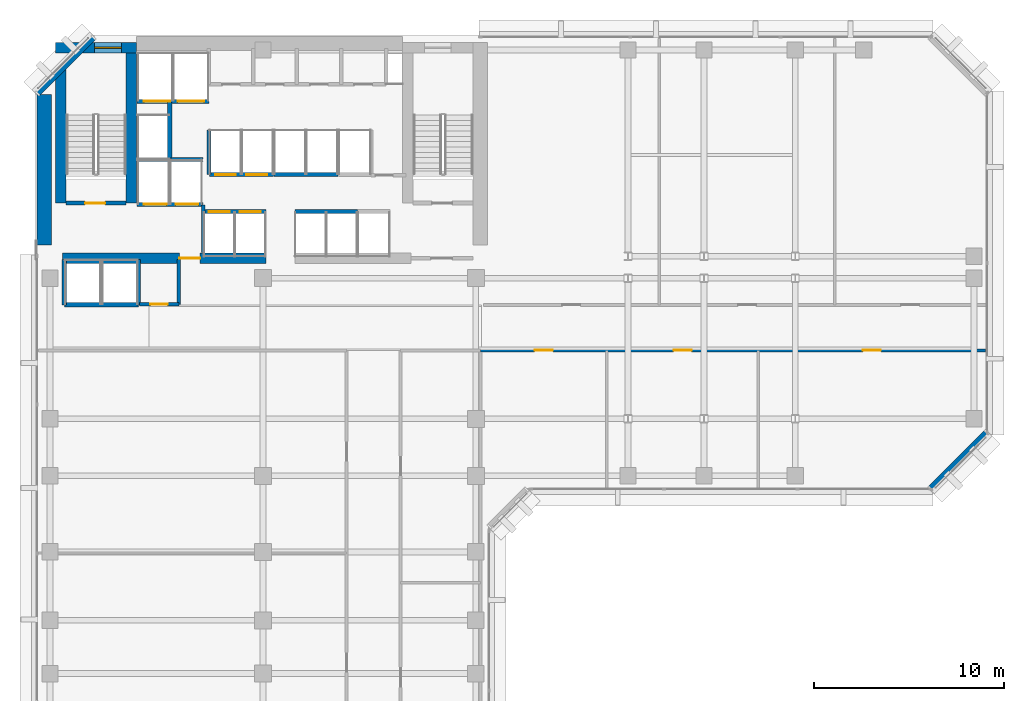
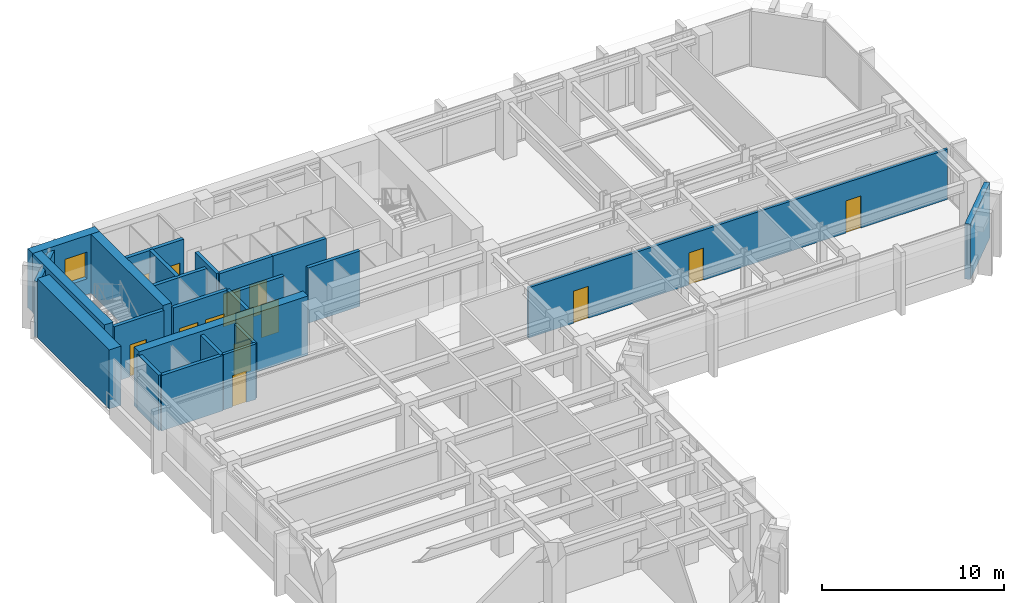
# One storey, part 7 of 12: 24 walls, 14 doors, 1 window, 15 openings.
"""IFC4 building model written with IfcOpenShell, lengths in metres."""

from ifc_helpers import new_model, si_unit, direction, frame, frame_2d, origin, place, context, subcontext, project, spatial, rectangle, extrude, material, layer, layer_set, type_object, element, fill, save


model = new_model("IFC4")

# Units and contexts
model_context = context("Model", 3, precision=1e-05, world=origin(), true_north=direction((0.0, 1.0)))
body_context = subcontext(model_context, "Body", "Model", "MODEL_VIEW")
ifc_project = project(units=[si_unit("LENGTHUNIT", "METRE"), si_unit("AREAUNIT", "SQUARE_METRE"), si_unit("VOLUMEUNIT", "CUBIC_METRE"), si_unit("PLANEANGLEUNIT", "RADIAN"), si_unit("MASSUNIT", "GRAM", prefix="KILO")], contexts=[model_context])

# Site, building, storey
site_placement = place(None, origin())
site = spatial("IfcSite", under=ifc_project, at=site_placement, CompositionType="ELEMENT")
building_placement = place(site_placement, origin())
building = spatial("IfcBuilding", under=site, at=building_placement, Name="Kefirva Bronze Tower", CompositionType="ELEMENT")
storey_placement = place(building_placement, frame((0.0, 0.0, 118.469970703125)))
storey = spatial("IfcBuildingStorey", under=building, at=storey_placement, Name="L28", CompositionType="ELEMENT", Elevation=118.469970703125)

# Wall, opening, door
ifc_material_1 = material(Name="Gypsum fireboard shaftwall")
ifc_layer_1 = layer(ifc_material_1, 0.219970703125, Name="Gypsum fireboard shaftwall")
ifc_layer_set_1 = layer_set([ifc_layer_1], Name="Gypsum fireboard shaftwall")
wall_type_1 = type_object("IfcWallType", Name="Fire-Rated Shaft Enclosure Wall 220mm", PredefinedType="PARTITIONING", material=ifc_layer_set_1)
wall_1_placement = place(storey_placement, frame((1.64990234375, 37.14990234375, 0.0), z_axis=(0.0, 0.0, 1.0), x_axis=(1.0, 0.0, 0.0)))
wall_1 = element("IfcWall", 1, at=wall_1_placement, inside=storey, type_object=wall_type_1, Name="L28 Partition W-L28-ST1S", PredefinedType="PARTITIONING", context=body_context, shape_type="SweptSolid", body=[
    extrude(rectangle(XDim=3.150146484375, YDim=0.219970703125, at=frame_2d((1.5751953125, 0.0))), origin(), (0.0, 0.0, 1.0), 3.7099609375),
])
opening_1_placement = place(wall_1_placement, frame((2.050048828125, 0.0, 0.0), z_axis=(0.0, 0.0, 1.0), x_axis=(-1.0, 0.0, 0.0)))
opening_1 = element("IfcOpeningElement", 2, at=opening_1_placement, cuts=wall_1, Name="Opening L28-D001", PredefinedType="OPENING", context=body_context, shape_type="SweptSolid", body=[
    extrude(rectangle(XDim=1.050048828125, YDim=2.14990234375, at=frame_2d((0.52490234375, 1.074951171875))), frame((0.0, 0.1201171875, 0.0), z_axis=(0.0, -1.0, 0.0), x_axis=(1.0, 0.0, 0.0)), (0.0, 0.0, 1.0), 0.239990234375),
])
ifc_material_2 = material(Name="Painted galvanized steel", Category="steel")
door_type_1 = type_object("IfcDoorType", Name="Fire Stair Enclosure Door 1050x2150 FD90S", OperationType="NOTDEFINED", PredefinedType="DOOR", material=ifc_material_2)
door_1_placement = place(opening_1_placement, origin())
door_1 = element("IfcDoor", 3, at=door_1_placement, inside=storey, type_object=door_type_1, Name="Door L28-D001", OperationType="SINGLE_SWING_RIGHT", OverallHeight=2.14990234375, OverallWidth=1.050048828125, PredefinedType="DOOR", context=body_context, shape_type="SweptSolid", body=[
    extrude(rectangle(XDim=1.050048828125, YDim=2.14990234375, at=frame_2d((0.52490234375, 1.074951171875))), frame((0.0, 0.02490234375, 0.0), z_axis=(0.0, -1.0, 0.0), x_axis=(1.0, 0.0, 0.0)), (0.0, 0.0, 1.0), 0.050048828125),
])
fill(opening_1, door_1)

# Wall, openings, doors
wall_2_placement = place(storey_placement, frame((5.3798828125, 37.080078125, 0.0), z_axis=(0.0, 0.0, 1.0), x_axis=(1.0, 0.0, 0.0)))
wall_2 = element("IfcWall", 4, at=wall_2_placement, inside=storey, type_object=wall_type_1, Name="L28 Partition W-L28-FFS", PredefinedType="PARTITIONING", context=body_context, shape_type="SweptSolid", body=[
    extrude(rectangle(XDim=3.460205078125, YDim=0.219970703125, at=frame_2d((1.72998046875, 0.0))), origin(), (0.0, 0.0, 1.0), 3.7099609375),
])
opening_2_placement = place(wall_2_placement, frame((1.550048828125, 0.0, 0.0), z_axis=(0.0, 0.0, 1.0), x_axis=(-1.0, 0.0, 0.0)))
opening_2 = element("IfcOpeningElement", 5, at=opening_2_placement, cuts=wall_2, Name="Opening L28-LD-FF1", PredefinedType="OPENING", context=body_context, shape_type="SweptSolid", body=[
    extrude(rectangle(XDim=1.199951171875, YDim=2.199951171875, at=frame_2d((0.60009765625, 1.10009765625))), frame((0.0, 0.1201171875, 0.0), z_axis=(0.0, -1.0, 0.0), x_axis=(1.0, 0.0, 0.0)), (0.0, 0.0, 1.0), 0.239990234375),
])
opening_3_placement = place(wall_2_placement, frame((3.219970703125, 0.0, 0.0), z_axis=(0.0, 0.0, 1.0), x_axis=(-1.0, 0.0, 0.0)))
opening_3 = element("IfcOpeningElement", 6, at=opening_3_placement, cuts=wall_2, Name="Opening L28-LD-FF2", PredefinedType="OPENING", context=body_context, shape_type="SweptSolid", body=[
    extrude(rectangle(XDim=1.199951171875, YDim=2.199951171875, at=frame_2d((0.60009765625, 1.10009765625))), frame((0.0, 0.1201171875, 0.0), z_axis=(0.0, -1.0, 0.0), x_axis=(1.0, 0.0, 0.0)), (0.0, 0.0, 1.0), 0.239990234375),
])
ifc_material_3 = material(Name="Stainless steel 316", Category="steel")
door_type_2 = type_object("IfcDoorType", Name="Firefighting Lift Sliding Door 1200x2200", OperationType="SLIDING_TO_RIGHT", PredefinedType="DOOR", material=ifc_material_3)
door_2_placement = place(opening_2_placement, origin())
door_2 = element("IfcDoor", 7, at=door_2_placement, inside=storey, type_object=door_type_2, Name="Door L28-LD-FF1", OperationType="SLIDING_TO_RIGHT", OverallHeight=2.199951171875, OverallWidth=1.199951171875, PredefinedType="DOOR", context=body_context, shape_type="SweptSolid", body=[
    extrude(rectangle(XDim=1.199951171875, YDim=2.199951171875, at=frame_2d((0.60009765625, 1.10009765625))), frame((0.0, 0.02490234375, 0.0), z_axis=(0.0, -1.0, 0.0), x_axis=(1.0, 0.0, 0.0)), (0.0, 0.0, 1.0), 0.050048828125),
])
fill(opening_2, door_2)
door_3_placement = place(opening_3_placement, origin())
door_3 = element("IfcDoor", 8, at=door_3_placement, inside=storey, type_object=door_type_2, Name="Door L28-LD-FF2", OperationType="SLIDING_TO_RIGHT", OverallHeight=2.199951171875, OverallWidth=1.199951171875, PredefinedType="DOOR", context=body_context, shape_type="SweptSolid", body=[
    extrude(rectangle(XDim=1.199951171875, YDim=2.199951171875, at=frame_2d((0.60009765625, 1.10009765625))), frame((0.0, 0.02490234375, 0.0), z_axis=(0.0, -1.0, 0.0), x_axis=(1.0, 0.0, 0.0)), (0.0, 0.0, 1.0), 0.050048828125),
])
fill(opening_3, door_3)

# Wall
wall_3_placement = place(storey_placement, frame((5.3798828125, 39.449951171875, 0.0), z_axis=(0.0, 0.0, 1.0), x_axis=(1.0, 0.0, 0.0)))
element("IfcWall", 9, at=wall_3_placement, inside=storey, type_object=wall_type_1, Name="L28 Partition W-L28-FFN", PredefinedType="PARTITIONING", context=body_context, shape_type="SweptSolid", body=[
    extrude(rectangle(XDim=3.460205078125, YDim=0.219970703125, at=frame_2d((1.72998046875, 0.0))), origin(), (0.0, 0.0, 1.0), 3.7099609375),
])

# Wall, openings, doors
wall_4_placement = place(storey_placement, frame((5.3798828125, 42.5, 0.0), z_axis=(0.0, 0.0, 1.0), x_axis=(1.0, 0.0, 0.0)))
wall_4 = element("IfcWall", 10, at=wall_4_placement, inside=storey, type_object=wall_type_1, Name="L28 Partition W-L28-SVS", PredefinedType="PARTITIONING", context=body_context, shape_type="SweptSolid", body=[
    extrude(rectangle(XDim=3.77001953125, YDim=0.219970703125, at=frame_2d((1.885009765625, 0.0))), origin(), (0.0, 0.0, 1.0), 3.7099609375),
])
opening_4_placement = place(wall_4_placement, frame((1.75, 0.0, 0.0), z_axis=(0.0, 0.0, 1.0), x_axis=(-1.0, 0.0, 0.0)))
opening_4 = element("IfcOpeningElement", 11, at=opening_4_placement, cuts=wall_4, Name="Opening L28-LD-SV1", PredefinedType="OPENING", context=body_context, shape_type="SweptSolid", body=[
    extrude(rectangle(XDim=1.39990234375, YDim=2.199951171875, at=frame_2d((0.699951171875, 1.10009765625))), frame((0.0, 0.1201171875, 0.0), z_axis=(0.0, -1.0, 0.0), x_axis=(1.0, 0.0, 0.0)), (0.0, 0.0, 1.0), 0.239990234375),
])
opening_5_placement = place(wall_4_placement, frame((3.52978515625, 0.0, 0.0), z_axis=(0.0, 0.0, 1.0), x_axis=(-1.0, 0.0, 0.0)))
opening_5 = element("IfcOpeningElement", 12, at=opening_5_placement, cuts=wall_4, Name="Opening L28-LD-SV2", PredefinedType="OPENING", context=body_context, shape_type="SweptSolid", body=[
    extrude(rectangle(XDim=1.39990234375, YDim=2.199951171875, at=frame_2d((0.699951171875, 1.10009765625))), frame((0.0, 0.1201171875, 0.0), z_axis=(0.0, -1.0, 0.0), x_axis=(1.0, 0.0, 0.0)), (0.0, 0.0, 1.0), 0.239990234375),
])
door_type_3 = type_object("IfcDoorType", Name="Goods Lift Bi-Parting Sliding Door 1400x2200", OperationType="SLIDING_TO_LEFT", PredefinedType="DOOR", material=ifc_material_3)
door_4_placement = place(opening_4_placement, origin())
door_4 = element("IfcDoor", 13, at=door_4_placement, inside=storey, type_object=door_type_3, Name="Door L28-LD-SV1", OperationType="SLIDING_TO_LEFT", OverallHeight=2.199951171875, OverallWidth=1.39990234375, PredefinedType="DOOR", context=body_context, shape_type="SweptSolid", body=[
    extrude(rectangle(XDim=1.39990234375, YDim=2.199951171875, at=frame_2d((0.699951171875, 1.10009765625))), frame((0.0, 0.02490234375, 0.0), z_axis=(0.0, -1.0, 0.0), x_axis=(1.0, 0.0, 0.0)), (0.0, 0.0, 1.0), 0.050048828125),
])
fill(opening_4, door_4)
door_5_placement = place(opening_5_placement, origin())
door_5 = element("IfcDoor", 14, at=door_5_placement, inside=storey, type_object=door_type_3, Name="Door L28-LD-SV2", OperationType="SLIDING_TO_LEFT", OverallHeight=2.199951171875, OverallWidth=1.39990234375, PredefinedType="DOOR", context=body_context, shape_type="SweptSolid", body=[
    extrude(rectangle(XDim=1.39990234375, YDim=2.199951171875, at=frame_2d((0.699951171875, 1.10009765625))), frame((0.0, 0.02490234375, 0.0), z_axis=(0.0, -1.0, 0.0), x_axis=(1.0, 0.0, 0.0)), (0.0, 0.0, 1.0), 0.050048828125),
])
fill(opening_5, door_5)

# Walls
wall_5_placement = place(storey_placement, frame((7.10009765625, 39.52001953125, 0.0), z_axis=(0.0, 0.0, 1.0), x_axis=(0.0, 1.0, 0.0)))
element("IfcWall", 15, at=wall_5_placement, inside=storey, type_object=wall_type_1, Name="L28 Partition W-L28-HP3E", PredefinedType="PARTITIONING", context=body_context, shape_type="SweptSolid", body=[
    extrude(rectangle(XDim=2.929931640625, YDim=0.219970703125, at=frame_2d((1.46484375, 0.0))), origin(), (0.0, 0.0, 1.0), 3.7099609375),
])
wall_6_placement = place(storey_placement, frame((1.550048828125, 31.800048828125, 0.0), z_axis=(0.0, 0.0, 1.0), x_axis=(1.0, 0.0, 0.0)))
element("IfcWall", 16, at=wall_6_placement, inside=storey, type_object=wall_type_1, Name="L28 Partition W-L28-OBS", PredefinedType="PARTITIONING", context=body_context, shape_type="SweptSolid", body=[
    extrude(rectangle(XDim=3.89990234375, YDim=0.219970703125, at=frame_2d((1.949951171875, 0.0))), origin(), (0.0, 0.0, 1.0), 3.7099609375),
])
for number, where, z_axis, x_axis, name in (
    (17, (1.550048828125, 31.800048828125, 0.0), (0.0, 0.0, 1.0), (0.0, 1.0, 0.0), "L28 Partition W-L28-OBW"),
    (18, (5.449951171875, 31.800048828125, 0.0), (0.0, 0.0, 1.0), (0.0, 1.0, 0.0), "L28 Partition W-L28-OBE"),
):
    element("IfcWall", number, at=place(storey_placement, frame(where, z_axis=z_axis, x_axis=x_axis)), inside=storey, type_object=wall_type_1, Name=name, PredefinedType="PARTITIONING", context=body_context, shape_type="SweptSolid", body=[
        extrude(rectangle(XDim=2.3798828125, YDim=0.219970703125, at=frame_2d((1.18994140625, 0.0))), origin(), (0.0, 0.0, 1.0), 3.7099609375),
    ])
wall_7_placement = place(storey_placement, frame((9.159912109375, 38.64990234375, 0.0), z_axis=(0.0, 0.0, 1.0), x_axis=(0.0, 1.0, 0.0)))
element("IfcWall", 19, at=wall_7_placement, inside=storey, type_object=wall_type_1, Name="L28 Partition W-L28-LP3W", PredefinedType="PARTITIONING", context=body_context, shape_type="SweptSolid", body=[
    extrude(rectangle(XDim=2.35009765625, YDim=0.199951171875, at=frame_2d((1.175048828125, 0.0))), origin(), (0.0, 0.0, 1.0), 3.7099609375),
])

# Wall, openings, doors
wall_8_placement = place(storey_placement, frame((8.89990234375, 36.699951171875, 0.0), z_axis=(0.0, 0.0, 1.0), x_axis=(1.0, 0.0, 0.0)))
wall_8 = element("IfcWall", 20, at=wall_8_placement, inside=storey, type_object=wall_type_1, Name="L28 Partition W-L28-LPS", PredefinedType="PARTITIONING", context=body_context, shape_type="SweptSolid", body=[
    extrude(rectangle(XDim=3.260009765625, YDim=0.219970703125, at=frame_2d((1.6298828125, 0.0))), origin(), (0.0, 0.0, 1.0), 3.7099609375),
])
opening_6_placement = place(wall_8_placement, frame((0.260009765625, 0.0, 0.0)))
opening_6 = element("IfcOpeningElement", 21, at=opening_6_placement, cuts=wall_8, Name="Opening L28-LD-LP1", PredefinedType="OPENING", context=body_context, shape_type="SweptSolid", body=[
    extrude(rectangle(XDim=1.10009765625, YDim=2.199951171875, at=frame_2d((0.550048828125, 1.10009765625))), frame((0.0, 0.1201171875, 0.0), z_axis=(0.0, -1.0, 0.0), x_axis=(1.0, 0.0, 0.0)), (0.0, 0.0, 1.0), 0.239990234375),
])
opening_7_placement = place(wall_8_placement, frame((1.8798828125, 0.0, 0.0)))
opening_7 = element("IfcOpeningElement", 22, at=opening_7_placement, cuts=wall_8, Name="Opening L28-LD-LP2", PredefinedType="OPENING", context=body_context, shape_type="SweptSolid", body=[
    extrude(rectangle(XDim=1.10009765625, YDim=2.199951171875, at=frame_2d((0.550048828125, 1.10009765625))), frame((0.0, 0.1201171875, 0.0), z_axis=(0.0, -1.0, 0.0), x_axis=(1.0, 0.0, 0.0)), (0.0, 0.0, 1.0), 0.239990234375),
])
door_type_4 = type_object("IfcDoorType", Name="Passenger Lift Sliding Landing Door 1100x2200", OperationType="SLIDING_TO_LEFT", PredefinedType="DOOR", material=ifc_material_3)
door_6_placement = place(opening_6_placement, origin())
door_6 = element("IfcDoor", 23, at=door_6_placement, inside=storey, type_object=door_type_4, Name="Door L28-LD-LP1", OperationType="SLIDING_TO_LEFT", OverallHeight=2.199951171875, OverallWidth=1.10009765625, PredefinedType="DOOR", context=body_context, shape_type="SweptSolid", body=[
    extrude(rectangle(XDim=1.10009765625, YDim=2.199951171875, at=frame_2d((0.550048828125, 1.10009765625))), frame((0.0, 0.02490234375, 0.0), z_axis=(0.0, -1.0, 0.0), x_axis=(1.0, 0.0, 0.0)), (0.0, 0.0, 1.0), 0.050048828125),
])
fill(opening_6, door_6)
door_7_placement = place(opening_7_placement, origin())
door_7 = element("IfcDoor", 24, at=door_7_placement, inside=storey, type_object=door_type_4, Name="Door L28-LD-LP2", OperationType="SLIDING_TO_LEFT", OverallHeight=2.199951171875, OverallWidth=1.10009765625, PredefinedType="DOOR", context=body_context, shape_type="SweptSolid", body=[
    extrude(rectangle(XDim=1.10009765625, YDim=2.199951171875, at=frame_2d((0.550048828125, 1.10009765625))), frame((0.0, 0.02490234375, 0.0), z_axis=(0.0, -1.0, 0.0), x_axis=(1.0, 0.0, 0.0)), (0.0, 0.0, 1.0), 0.050048828125),
])
fill(opening_7, door_7)

wall_9_placement = place(storey_placement, frame((9.179931640625, 38.64990234375, 0.0), z_axis=(0.0, 0.0, 1.0), x_axis=(1.0, 0.0, 0.0)))
wall_9 = element("IfcWall", 25, at=wall_9_placement, inside=storey, type_object=wall_type_1, Name="L28 Partition W-L28-LPN", PredefinedType="PARTITIONING", context=body_context, shape_type="SweptSolid", body=[
    extrude(rectangle(XDim=3.380126953125, YDim=0.219970703125, at=frame_2d((1.68994140625, 0.0))), origin(), (0.0, 0.0, 1.0), 3.7099609375),
])
opening_8_placement = place(wall_9_placement, frame((0.300048828125, 0.0, 0.0)))
opening_8 = element("IfcOpeningElement", 26, at=opening_8_placement, cuts=wall_9, Name="Opening L28-LD-LP3", PredefinedType="OPENING", context=body_context, shape_type="SweptSolid", body=[
    extrude(rectangle(XDim=1.10009765625, YDim=2.199951171875, at=frame_2d((0.550048828125, 1.10009765625))), frame((0.0, 0.1201171875, 0.0), z_axis=(0.0, -1.0, 0.0), x_axis=(1.0, 0.0, 0.0)), (0.0, 0.0, 1.0), 0.239990234375),
])
opening_9_placement = place(wall_9_placement, frame((1.949951171875, 0.0, 0.0)))
opening_9 = element("IfcOpeningElement", 27, at=opening_9_placement, cuts=wall_9, Name="Opening L28-LD-LP4", PredefinedType="OPENING", context=body_context, shape_type="SweptSolid", body=[
    extrude(rectangle(XDim=1.10009765625, YDim=2.199951171875, at=frame_2d((0.550048828125, 1.10009765625))), frame((0.0, 0.1201171875, 0.0), z_axis=(0.0, -1.0, 0.0), x_axis=(1.0, 0.0, 0.0)), (0.0, 0.0, 1.0), 0.239990234375),
])
door_8_placement = place(opening_8_placement, origin())
door_8 = element("IfcDoor", 28, at=door_8_placement, inside=storey, type_object=door_type_4, Name="Door L28-LD-LP3", OperationType="SLIDING_TO_LEFT", OverallHeight=2.199951171875, OverallWidth=1.10009765625, PredefinedType="DOOR", context=body_context, shape_type="SweptSolid", body=[
    extrude(rectangle(XDim=1.10009765625, YDim=2.199951171875, at=frame_2d((0.550048828125, 1.10009765625))), frame((0.0, 0.02490234375, 0.0), z_axis=(0.0, -1.0, 0.0), x_axis=(1.0, 0.0, 0.0)), (0.0, 0.0, 1.0), 0.050048828125),
])
fill(opening_8, door_8)
door_9_placement = place(opening_9_placement, origin())
door_9 = element("IfcDoor", 29, at=door_9_placement, inside=storey, type_object=door_type_4, Name="Door L28-LD-LP4", OperationType="SLIDING_TO_LEFT", OverallHeight=2.199951171875, OverallWidth=1.10009765625, PredefinedType="DOOR", context=body_context, shape_type="SweptSolid", body=[
    extrude(rectangle(XDim=1.10009765625, YDim=2.199951171875, at=frame_2d((0.550048828125, 1.10009765625))), frame((0.0, 0.02490234375, 0.0), z_axis=(0.0, -1.0, 0.0), x_axis=(1.0, 0.0, 0.0)), (0.0, 0.0, 1.0), 0.050048828125),
])
fill(opening_9, door_9)

# Walls
wall_10_placement = place(storey_placement, frame((13.679931640625, 36.699951171875, 0.0), z_axis=(0.0, 0.0, 1.0), x_axis=(1.0, 0.0, 0.0)))
element("IfcWall", 30, at=wall_10_placement, inside=storey, type_object=wall_type_1, Name="L28 Partition W-L28-MPS", PredefinedType="PARTITIONING", context=body_context, shape_type="SweptSolid", body=[
    extrude(rectangle(XDim=3.280029296875, YDim=0.219970703125, at=frame_2d((1.64013671875, 0.0))), origin(), (0.0, 0.0, 1.0), 3.7099609375),
])
wall_11_placement = place(storey_placement, frame((12.580078125, 38.64990234375, 0.0), z_axis=(0.0, 0.0, 1.0), x_axis=(1.0, 0.0, 0.0)))
element("IfcWall", 31, at=wall_11_placement, inside=storey, type_object=wall_type_1, Name="L28 Partition W-L28-MPN", PredefinedType="PARTITIONING", context=body_context, shape_type="SweptSolid", body=[
    extrude(rectangle(XDim=3.3798828125, YDim=0.219970703125, at=frame_2d((1.68994140625, 0.0))), origin(), (0.0, 0.0, 1.0), 3.7099609375),
])
ifc_material_4 = material(Name="Gypsum fireboard barrier")
ifc_layer_2 = layer(ifc_material_4, 0.199951171875, Name="Gypsum fireboard barrier")
ifc_layer_set_2 = layer_set([ifc_layer_2], Name="Gypsum fireboard barrier")
wall_type_2 = type_object("IfcWallType", Name="Firefighting Lobby Barrier Wall 200mm", PredefinedType="PARTITIONING", material=ifc_layer_set_2)
wall_12_placement = place(storey_placement, frame((8.860107421875, 34.550048828125, 0.0), z_axis=(0.0, 0.0, 1.0), x_axis=(0.0, 1.0, 0.0)))
element("IfcWall", 32, at=wall_12_placement, inside=storey, type_object=wall_type_2, Name="L28 Partition W-L28-FFLE", PredefinedType="PARTITIONING", context=body_context, shape_type="SweptSolid", body=[
    extrude(rectangle(XDim=2.5, YDim=0.199951171875, at=frame_2d((1.25, 0.0))), origin(), (0.0, 0.0, 1.0), 3.7099609375),
])
ifc_material_5 = material(Name="Precast concrete C40/50", Category="concrete")
ifc_layer_3 = layer(ifc_material_5, 0.320068359375, Name="Precast concrete C40/50")
ifc_layer_set_3 = layer_set([ifc_layer_3], Name="Precast concrete C40/50")
wall_type_3 = type_object("IfcWallType", Name="Precast Insulated Exterior Wall 320mm", PredefinedType="SOLIDWALL", material=ifc_layer_set_3)
for number, where, z_axis, x_axis, name in (
    (33, (47.125732421875, 22.152099609375, 0.0), (0.0, 0.0, 1.0), (0.707136318428, 0.707077242712, 0.0), "L28 Exterior Facade Wall 6"),
    (34, (3.07421875, 45.847900390625, 0.0), (0.0, 0.0, 1.0), (-0.707106781187, -0.707106781187, 0.0), "L28 Exterior Facade Wall 8"),
):
    element("IfcWall", number, at=place(storey_placement, frame(where, z_axis=z_axis, x_axis=x_axis)), inside=storey, type_object=wall_type_3, Name=name, PredefinedType="SOLIDWALL", context=body_context, shape_type="SweptSolid", body=[
        extrude(rectangle(XDim=4.132568359375, YDim=0.320068359375, at=frame_2d((2.06640625, 0.0))), origin(), (0.0, 0.0, 1.0), 3.7099609375),
    ])

# Wall, openings, doors
ifc_material_6 = material(Name="Gypsum acoustic partition")
ifc_layer_4 = layer(ifc_material_6, 0.159912109375, Name="Gypsum acoustic partition")
ifc_layer_set_4 = layer_set([ifc_layer_4], Name="Gypsum acoustic partition")
wall_type_4 = type_object("IfcWallType", Name="Protected Corridor Partition 160mm", PredefinedType="PARTITIONING", material=ifc_layer_set_4)
wall_13_placement = place(storey_placement, frame((23.449951171875, 29.39990234375, 0.0), z_axis=(0.0, 0.0, 1.0), x_axis=(1.0, 0.0, 0.0)))
wall_13 = element("IfcWall", 35, at=wall_13_placement, inside=storey, type_object=wall_type_4, Name="L28 Partition W-L28-EWS", PredefinedType="PARTITIONING", context=body_context, shape_type="SweptSolid", body=[
    extrude(rectangle(XDim=26.56005859375, YDim=0.159912109375, at=frame_2d((13.280029296875, 0.0))), origin(), (0.0, 0.0, 1.0), 3.364990234375),
])
opening_10_placement = place(wall_13_placement, frame((3.794921875, 0.0, 0.0), z_axis=(0.0, 0.0, 1.0), x_axis=(-1.0, 0.0, 0.0)))
opening_10 = element("IfcOpeningElement", 36, at=opening_10_placement, cuts=wall_13, Name="Opening L28-D-ES1", PredefinedType="OPENING", context=body_context, shape_type="SweptSolid", body=[
    extrude(rectangle(XDim=0.949951171875, YDim=2.14990234375, at=frame_2d((0.47509765625, 1.074951171875))), frame((0.0, 0.08984375, 0.0), z_axis=(0.0, -1.0, 0.0), x_axis=(1.0, 0.0, 0.0)), (0.0, 0.0, 1.0), 0.179931640625),
])
opening_11_placement = place(wall_13_placement, frame((11.098876953125, 0.0, 0.0), z_axis=(0.0, 0.0, 1.0), x_axis=(-1.0, 0.0, 0.0)))
opening_11 = element("IfcOpeningElement", 37, at=opening_11_placement, cuts=wall_13, Name="Opening L28-D-ES2", PredefinedType="OPENING", context=body_context, shape_type="SweptSolid", body=[
    extrude(rectangle(XDim=0.949951171875, YDim=2.14990234375, at=frame_2d((0.47509765625, 1.074951171875))), frame((0.0, 0.08984375, 0.0), z_axis=(0.0, -1.0, 0.0), x_axis=(1.0, 0.0, 0.0)), (0.0, 0.0, 1.0), 0.179931640625),
])
opening_12_placement = place(wall_13_placement, frame((21.058837890625, 0.0, 0.0), z_axis=(0.0, 0.0, 1.0), x_axis=(-1.0, 0.0, 0.0)))
opening_12 = element("IfcOpeningElement", 38, at=opening_12_placement, cuts=wall_13, Name="Opening L28-D-ES3", PredefinedType="OPENING", context=body_context, shape_type="SweptSolid", body=[
    extrude(rectangle(XDim=0.949951171875, YDim=2.14990234375, at=frame_2d((0.47509765625, 1.074951171875))), frame((0.0, 0.08984375, 0.0), z_axis=(0.0, -1.0, 0.0), x_axis=(1.0, 0.0, 0.0)), (0.0, 0.0, 1.0), 0.179931640625),
])
ifc_material_7 = material(Name="Acoustic hardwood oak", Category="wood")
door_type_5 = type_object("IfcDoorType", Name="Office & Meeting Room Door 950x2150", OperationType="NOTDEFINED", PredefinedType="DOOR", material=ifc_material_7)
door_10_placement = place(opening_10_placement, origin())
door_10 = element("IfcDoor", 39, at=door_10_placement, inside=storey, type_object=door_type_5, Name="Door L28-D-ES1", OperationType="SINGLE_SWING_RIGHT", OverallHeight=2.14990234375, OverallWidth=0.949951171875, PredefinedType="DOOR", context=body_context, shape_type="SweptSolid", body=[
    extrude(rectangle(XDim=0.949951171875, YDim=2.14990234375, at=frame_2d((0.47509765625, 1.074951171875))), frame((0.0, 0.02490234375, 0.0), z_axis=(0.0, -1.0, 0.0), x_axis=(1.0, 0.0, 0.0)), (0.0, 0.0, 1.0), 0.050048828125),
])
fill(opening_10, door_10)
door_11_placement = place(opening_11_placement, origin())
door_11 = element("IfcDoor", 40, at=door_11_placement, inside=storey, type_object=door_type_5, Name="Door L28-D-ES2", OperationType="SINGLE_SWING_LEFT", OverallHeight=2.14990234375, OverallWidth=0.949951171875, PredefinedType="DOOR", context=body_context, shape_type="SweptSolid", body=[
    extrude(rectangle(XDim=0.949951171875, YDim=2.14990234375, at=frame_2d((0.47509765625, 1.074951171875))), frame((0.0, 0.02490234375, 0.0), z_axis=(0.0, -1.0, 0.0), x_axis=(1.0, 0.0, 0.0)), (0.0, 0.0, 1.0), 0.050048828125),
])
fill(opening_11, door_11)
door_12_placement = place(opening_12_placement, origin())
door_12 = element("IfcDoor", 41, at=door_12_placement, inside=storey, type_object=door_type_5, Name="Door L28-D-ES3", OperationType="SINGLE_SWING_RIGHT", OverallHeight=2.14990234375, OverallWidth=0.949951171875, PredefinedType="DOOR", context=body_context, shape_type="SweptSolid", body=[
    extrude(rectangle(XDim=0.949951171875, YDim=2.14990234375, at=frame_2d((0.47509765625, 1.074951171875))), frame((0.0, 0.02490234375, 0.0), z_axis=(0.0, -1.0, 0.0), x_axis=(1.0, 0.0, 0.0)), (0.0, 0.0, 1.0), 0.050048828125),
])
fill(opening_12, door_12)

# Wall, opening, window
ifc_material_8 = material(Name="Concrete C50/60", Category="concrete")
ifc_layer_5 = layer(ifc_material_8, 0.550048828125, Name="Concrete C50/60")
ifc_layer_set_5 = layer_set([ifc_layer_5], Name="Concrete C50/60")
wall_type_5 = type_object("IfcWallType", Name="RC Rear Core Exterior Wall 550mm", PredefinedType="SHEAR", material=ifc_layer_set_5)
wall_14_placement = place(storey_placement, frame((1.10009765625, 45.320068359375, 0.0), z_axis=(0.0, 0.0, 1.0), x_axis=(1.0, 0.0, 0.0)))
wall_14 = element("IfcWall", 42, at=wall_14_placement, inside=storey, type_object=wall_type_5, Name="L28 Stair 1 North Shear Wall", PredefinedType="SHEAR", context=body_context, shape_type="SweptSolid", body=[
    extrude(rectangle(XDim=4.239990234375, YDim=0.550048828125, at=frame_2d((2.1201171875, 0.0))), origin(), (0.0, 0.0, 1.0), 3.9599609375),
])
opening_13_placement = place(wall_14_placement, frame((2.050048828125, 0.0, 1.050048828125)))
opening_13 = element("IfcOpeningElement", 43, at=opening_13_placement, cuts=wall_14, Name="Opening WN-03", PredefinedType="OPENING", context=body_context, shape_type="SweptSolid", body=[
    extrude(rectangle(XDim=1.39990234375, YDim=1.800048828125, at=frame_2d((0.699951171875, 0.89990234375))), frame((0.0, 0.28515625, 0.0), z_axis=(0.0, -1.0, 0.0), x_axis=(1.0, 0.0, 0.0)), (0.0, 0.0, 1.0), 0.570068359375),
])
ifc_material_9 = material(Name="Laminated low-E double glazing", Category="glass")
window_type = type_object("IfcWindowType", Name="Rear-Core Stair Daylight Window 1400x1800", PartitioningType="SINGLE_PANEL", PredefinedType="WINDOW", material=ifc_material_9)
window_placement = place(opening_13_placement, origin())
window = element("IfcWindow", 44, at=window_placement, inside=storey, type_object=window_type, Name="L28 Stair 1 Daylight Window", OverallHeight=1.800048828125, OverallWidth=1.39990234375, PartitioningType="SINGLE_PANEL", PredefinedType="WINDOW", context=body_context, shape_type="SweptSolid", body=[
    extrude(rectangle(XDim=1.39990234375, YDim=1.800048828125, at=frame_2d((0.699951171875, 0.89990234375))), frame((0.0, 0.030029296875, 0.0), z_axis=(0.0, -1.0, 0.0), x_axis=(1.0, 0.0, 0.0)), (0.0, 0.0, 1.0), 0.06005859375),
])
fill(opening_13, window)

# Walls
ifc_material_10 = material(Name="Concrete C60/75", Category="concrete")
ifc_layer_6 = layer(ifc_material_10, 0.75, Name="Concrete C60/75")
ifc_layer_set_6 = layer_set([ifc_layer_6], Name="Concrete C60/75")
wall_type_6 = type_object("IfcWallType", Name="RC Rear Core Exterior Wall 750mm", PredefinedType="SHEAR", material=ifc_layer_set_6)
wall_15_placement = place(storey_placement, frame((0.5, 34.949951171875, 0.0), z_axis=(0.0, 0.0, 1.0), x_axis=(0.0, 1.0, 0.0)))
element("IfcWall", 45, at=wall_15_placement, inside=storey, type_object=wall_type_6, Name="L28 Rear Core West Shear Wall", PredefinedType="SHEAR", context=body_context, shape_type="SweptSolid", body=[
    extrude(rectangle(XDim=7.900146484375, YDim=0.75, at=frame_2d((3.9501953125, 0.0))), origin(), (0.0, 0.0, 1.0), 3.9599609375),
])
ifc_layer_7 = layer(ifc_material_8, 0.550048828125, Name="Concrete C50/60")
ifc_layer_set_7 = layer_set([ifc_layer_7], Name="Concrete C50/60")
wall_type_7 = type_object("IfcWallType", Name="RC Rear Core Interior Wall 550mm", PredefinedType="SHEAR", material=ifc_layer_set_7)
for number, where, z_axis, x_axis, name in (
    (46, (1.3701171875, 37.14990234375, 0.0), (0.0, 0.0, 1.0), (0.0, 1.0, 0.0), "L28 Stair 1 West Shear Wall"),
    (47, (5.070068359375, 37.14990234375, 0.0), (0.0, 0.0, 1.0), (0.0, 1.0, 0.0), "L28 Stair 1 East Shear Wall"),
):
    element("IfcWall", number, at=place(storey_placement, frame(where, z_axis=z_axis, x_axis=x_axis)), inside=storey, type_object=wall_type_7, Name=name, PredefinedType="SHEAR", context=body_context, shape_type="SweptSolid", body=[
        extrude(rectangle(XDim=7.89013671875, YDim=0.550048828125, at=frame_2d((3.945068359375, 0.0))), origin(), (0.0, 0.0, 1.0), 3.9599609375),
    ])

# Wall, opening, door
ifc_layer_8 = layer(ifc_material_10, 0.75, Name="Concrete C60/75")
ifc_layer_set_8 = layer_set([ifc_layer_8], Name="Concrete C60/75")
wall_type_8 = type_object("IfcWallType", Name="RC Rear Core Interior Wall 750mm", PredefinedType="SHEAR", material=ifc_layer_set_8)
wall_16_placement = place(storey_placement, frame((1.449951171875, 34.25, 0.0), z_axis=(0.0, 0.0, 1.0), x_axis=(1.0, 0.0, 0.0)))
wall_16 = element("IfcWall", 48, at=wall_16_placement, inside=storey, type_object=wall_type_8, Name="L28 Rear Core South-West Shear Wall", PredefinedType="SHEAR", context=body_context, shape_type="SweptSolid", body=[
    extrude(rectangle(XDim=10.7099609375, YDim=0.550048828125, at=frame_2d((5.35498046875, 0.0))), origin(), (0.0, 0.0, 1.0), 3.9599609375),
])
opening_14_placement = place(wall_16_placement, frame((7.25, 0.0, 0.0), z_axis=(0.0, 0.0, 1.0), x_axis=(-1.0, 0.0, 0.0)))
opening_14 = element("IfcOpeningElement", 49, at=opening_14_placement, cuts=wall_16, Name="Opening L28-D002", PredefinedType="OPENING", context=body_context, shape_type="SweptSolid", body=[
    extrude(rectangle(XDim=1.10009765625, YDim=2.14990234375, at=frame_2d((0.550048828125, 1.074951171875))), frame((0.0, 0.28515625, 0.0), z_axis=(0.0, -1.0, 0.0), x_axis=(1.0, 0.0, 0.0)), (0.0, 0.0, 1.0), 0.570068359375),
])
door_type_6 = type_object("IfcDoorType", Name="Firefighting Lobby Smoke Door 1100x2150 FD60S", OperationType="NOTDEFINED", PredefinedType="DOOR", material=ifc_material_2)
door_13_placement = place(opening_14_placement, origin())
door_13 = element("IfcDoor", 50, at=door_13_placement, inside=storey, type_object=door_type_6, Name="Door L28-D002", OperationType="SINGLE_SWING_LEFT", OverallHeight=2.14990234375, OverallWidth=1.10009765625, PredefinedType="DOOR", context=body_context, shape_type="SweptSolid", body=[
    extrude(rectangle(XDim=1.10009765625, YDim=2.14990234375, at=frame_2d((0.550048828125, 1.074951171875))), frame((0.0, 0.02490234375, 0.0), z_axis=(0.0, -1.0, 0.0), x_axis=(1.0, 0.0, 0.0)), (0.0, 0.0, 1.0), 0.050048828125),
])
fill(opening_14, door_13)

ifc_material_11 = material(Name="Moisture-resistant partition")
ifc_layer_9 = layer(ifc_material_11, 0.179931640625, Name="Moisture-resistant partition")
ifc_layer_set_9 = layer_set([ifc_layer_9], Name="Moisture-resistant partition")
wall_type_9 = type_object("IfcWallType", Name="Sanitary Plumbing Chase Wall 180mm", PredefinedType="PLUMBINGWALL", material=ifc_layer_set_9)
wall_17_placement = place(storey_placement, frame((5.5, 31.820068359375, 0.0), z_axis=(0.0, 0.0, 1.0), x_axis=(1.0, 0.0, 0.0)))
wall_17 = element("IfcWall", 51, at=wall_17_placement, inside=storey, type_object=wall_type_9, Name="L28 Partition W-L28-TCS", PredefinedType="PLUMBINGWALL", context=body_context, shape_type="SweptSolid", body=[
    extrude(rectangle(XDim=2.080078125, YDim=0.179931640625, at=frame_2d((1.0400390625, 0.0))), origin(), (0.0, 0.0, 1.0), 3.7099609375),
])
opening_15_placement = place(wall_17_placement, frame((1.47998046875, 0.0, 0.0), z_axis=(0.0, 0.0, 1.0), x_axis=(-1.0, 0.0, 0.0)))
opening_15 = element("IfcOpeningElement", 52, at=opening_15_placement, cuts=wall_17, Name="Opening L28-D-TCL1", PredefinedType="OPENING", context=body_context, shape_type="SweptSolid", body=[
    extrude(rectangle(XDim=0.89990234375, YDim=2.10009765625, at=frame_2d((0.449951171875, 1.050048828125))), frame((0.0, 0.10009765625, 0.0), z_axis=(0.0, -1.0, 0.0), x_axis=(1.0, 0.0, 0.0)), (0.0, 0.0, 1.0), 0.199951171875),
])
door_type_7 = type_object("IfcDoorType", Name="Telecom & Meter Fire Door 900x2100 FD60S", OperationType="NOTDEFINED", PredefinedType="DOOR", material=ifc_material_2)
door_14_placement = place(opening_15_placement, origin())
door_14 = element("IfcDoor", 53, at=door_14_placement, inside=storey, type_object=door_type_7, Name="Door L28-D-TCL1", OperationType="SINGLE_SWING_LEFT", OverallHeight=2.10009765625, OverallWidth=0.89990234375, PredefinedType="DOOR", context=body_context, shape_type="SweptSolid", body=[
    extrude(rectangle(XDim=0.89990234375, YDim=2.10009765625, at=frame_2d((0.449951171875, 1.050048828125))), frame((0.0, 0.02490234375, 0.0), z_axis=(0.0, -1.0, 0.0), x_axis=(1.0, 0.0, 0.0)), (0.0, 0.0, 1.0), 0.050048828125),
])
fill(opening_15, door_14)

# Wall
wall_18_placement = place(storey_placement, frame((7.580078125, 31.820068359375, 0.0), z_axis=(0.0, 0.0, 1.0), x_axis=(0.0, 1.0, 0.0)))
element("IfcWall", 54, at=wall_18_placement, inside=storey, type_object=wall_type_9, Name="L28 Partition W-L28-TCE", PredefinedType="PLUMBINGWALL", context=body_context, shape_type="SweptSolid", body=[
    extrude(rectangle(XDim=2.35986328125, YDim=0.179931640625, at=frame_2d((1.179931640625, 0.0))), origin(), (0.0, 0.0, 1.0), 3.7099609375),
])

save(model, "model.ifc")
